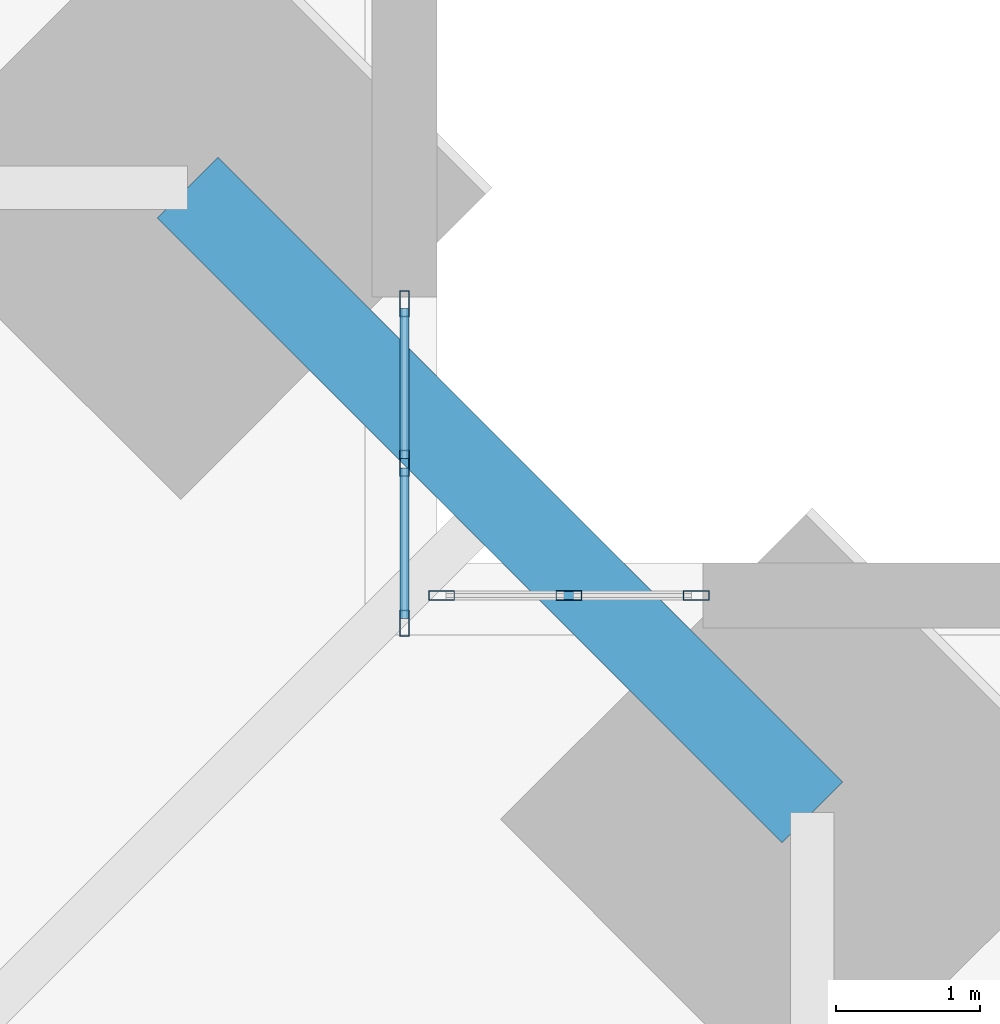
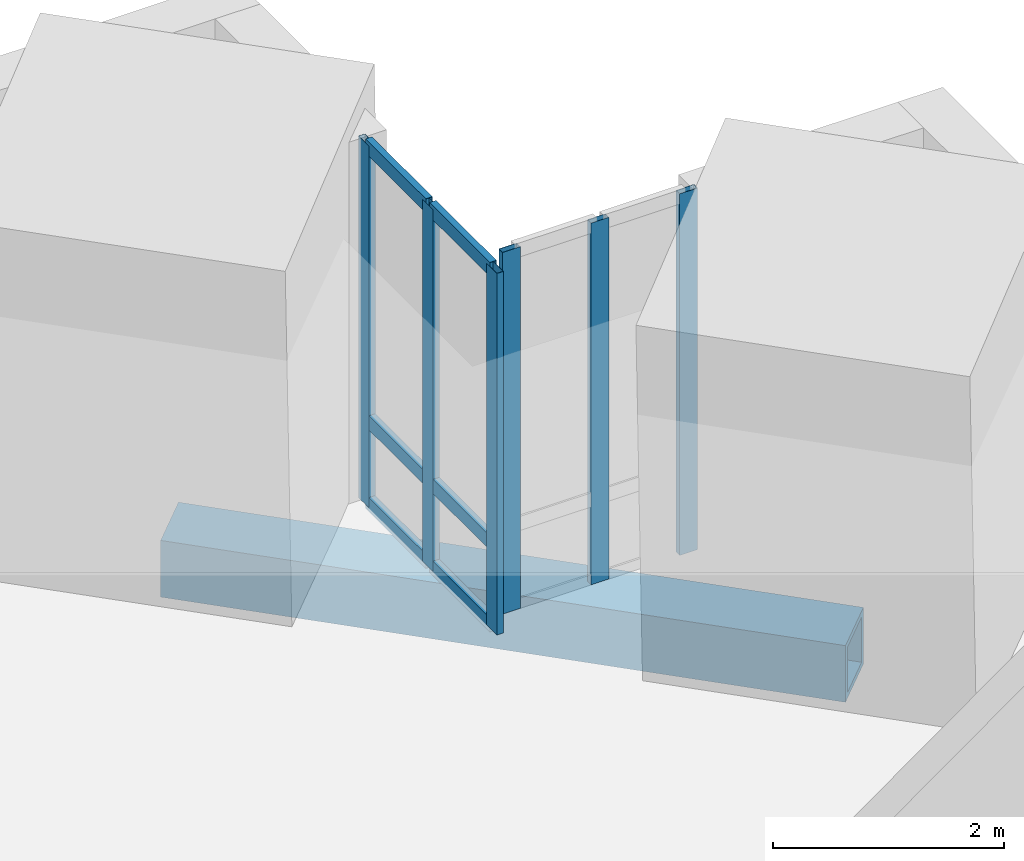
# One storey, part 8 of 15: 12 members, 1 beam, 2 elements without a shape of their own.
"""IFC4 building model written with IfcOpenShell, lengths in metres."""

import ifcopenshell
import ifcopenshell.guid

model = None  # the IFC model being written
_history = None  # IfcOwnerHistory: only IFC2X3 demands one
_inside = {}  # id of a spatial element -> (the spatial element, [elements in it])
_under = {}  # id of a project, library or spatial element -> (it, [spatial elements below it])
_declared = {}  # id of a project -> (the project, [libraries it declares])
_typed = {}  # id of a type object -> (the type object, [elements of that type])
_made_of = {}  # id of a material, layer set ... -> (it, [elements and type objects made of it])


def new_model(schema):
    """Start an empty IFC model of exactly this schema.

    Asked for "IFC4X3", IfcOpenShell would pick the latest addendum, in which some entities
    have other attributes; the version numbers below select the first issue.
    IFC2X3 requires an IfcOwnerHistory on every rooted entity: one is made here for all.
    """
    global model, _history
    if schema == "IFC4X3":
        model = ifcopenshell.file(schema_version=(4, 3, 0, 0))
    else:
        model = ifcopenshell.file(schema=schema)
    _inside.clear()
    _under.clear()
    _declared.clear()
    _typed.clear()
    _made_of.clear()
    _history = None
    if model.schema == "IFC2X3":
        org = make("IfcOrganization", Name="unknown")
        user = make(
            "IfcPersonAndOrganization",
            ThePerson=make("IfcPerson", FamilyName="unknown"),
            TheOrganization=org,
        )
        app = make(
            "IfcApplication",
            ApplicationDeveloper=org,
            Version="unknown",
            ApplicationFullName="unknown",
            ApplicationIdentifier="unknown",
        )
        _history = make(
            "IfcOwnerHistory",
            OwningUser=user,
            OwningApplication=app,
            ChangeAction="ADDED",
            CreationDate=0,
        )
    return model


def make(cls, **values):
    """One entity of the class cls with the attributes given. An attribute that is None is left unset."""
    return model.create_entity(
        cls, **{name: value for name, value in values.items() if value is not None}
    )


def rooted(cls, **values):
    """An entity with a GlobalId (a new one), such as an element, a storey or a relation."""
    return make(cls, GlobalId=ifcopenshell.guid.new(), OwnerHistory=_history, **values)


def si_unit(unit_type, name, prefix=None):
    """IfcSIUnit, for example si_unit("LENGTHUNIT", "METRE", prefix="MILLI")."""
    return make("IfcSIUnit", UnitType=unit_type, Prefix=prefix, Name=name)


def assignment(units):
    """IfcUnitAssignment: the units of a project."""
    return None if units is None else make("IfcUnitAssignment", Units=units)


def point(xyz):
    """IfcCartesianPoint."""
    return None if xyz is None else make("IfcCartesianPoint", Coordinates=xyz)


def direction(xyz):
    """IfcDirection."""
    return None if xyz is None else make("IfcDirection", DirectionRatios=xyz)


def frame(location, z_axis=None, x_axis=None):
    """IfcAxis2Placement3D, a coordinate frame: its origin and axes. An axis left out is left unset."""
    return make(
        "IfcAxis2Placement3D",
        Location=point(location),
        Axis=direction(z_axis),
        RefDirection=direction(x_axis),
    )


def frame_2d(location, x_axis=None):
    """IfcAxis2Placement2D, a coordinate frame in the plane: its origin and x axis."""
    return make(
        "IfcAxis2Placement2D", Location=point(location), RefDirection=direction(x_axis)
    )


def origin():
    """The frame at (0, 0, 0) with its axes left unset."""
    return frame((0.0, 0.0, 0.0))


def origin_2d():
    """The frame at (0, 0) in the plane with its x axis left unset."""
    return frame_2d((0.0, 0.0))


def place(relative_to, where):
    """IfcLocalPlacement: puts the frame where relative to a parent placement (None: the world)."""
    return make(
        "IfcLocalPlacement", PlacementRelTo=relative_to, RelativePlacement=where
    )


def context(
    kind, dimensions, precision=None, world=None, true_north=None, identifier=None
):
    """IfcGeometricRepresentationContext, for example the 3D "Model" context."""
    return make(
        "IfcGeometricRepresentationContext",
        ContextIdentifier=identifier,
        ContextType=kind,
        CoordinateSpaceDimension=dimensions,
        Precision=precision,
        WorldCoordinateSystem=world,
        TrueNorth=true_north,
    )


def subcontext(parent, identifier, kind, view, scale=None):
    """IfcGeometricRepresentationSubContext, for example "Body" below "Model"."""
    return make(
        "IfcGeometricRepresentationSubContext",
        ContextIdentifier=identifier,
        ContextType=kind,
        ParentContext=parent,
        TargetScale=scale,
        TargetView=view,
    )


def project(units=None, contexts=None):
    """IfcProject with its units and contexts."""
    return rooted(
        "IfcProject",
        Name="project",
        RepresentationContexts=contexts,
        UnitsInContext=assignment(units),
    )


def spatial(cls, under=None, at=None, **own):
    """A site, building, storey or space (cls), placed at a placement, below another one or the project."""
    s = rooted(cls, ObjectPlacement=at, **own)
    if under is not None:
        _under.setdefault(under.id(), (under, []))[1].append(s)
    return s


def profile(cls, at=None, kind="AREA", **sizes):
    """A parametric profile (cls). Its sizes go by their IFC names, for example OverallWidth=200.0."""
    return make(cls, ProfileType=kind, Position=at, **sizes)


def hollow_rectangle(**sizes):
    """IfcRectangleHollowProfileDef."""
    return profile("IfcRectangleHollowProfileDef", **sizes)


def extrude(swept, where, along, depth):
    """IfcExtrudedAreaSolid: the profile swept, set in the frame where, extruded along a direction by depth."""
    return make(
        "IfcExtrudedAreaSolid",
        SweptArea=swept,
        Position=where,
        ExtrudedDirection=direction(along),
        Depth=depth,
    )


def shape(context_of_items, identifier, shape_type, items):
    """IfcShapeRepresentation: the items that make up one representation, for example the "Body"."""
    return make(
        "IfcShapeRepresentation",
        ContextOfItems=context_of_items,
        RepresentationIdentifier=identifier,
        RepresentationType=shape_type,
        Items=items,
    )


def material(Name=None, Category=None):
    """IfcMaterial."""
    return make("IfcMaterial", Name=Name, Category=Category)


def material_profile(
    of_material, cross_section, Name=None, Category=None, Priority=None
):
    """IfcMaterialProfile: a cross section and its material."""
    return make(
        "IfcMaterialProfile",
        Name=Name,
        Material=of_material,
        Profile=cross_section,
        Priority=Priority,
        Category=Category,
    )


def profile_set(profiles, Name=None, composite=None):
    """IfcMaterialProfileSet."""
    return make(
        "IfcMaterialProfileSet",
        Name=Name,
        MaterialProfiles=profiles,
        CompositeProfile=composite,
    )


def made_of(thing, what):
    """Note that an element or type object is made of a material, layer set ...; save() writes the relation."""
    if what is not None:
        _made_of.setdefault(what.id(), (what, []))[1].append(thing)
    return thing


def type_object(cls, material=None, **own):
    """A type object (cls), such as IfcWallType, which elements share."""
    return made_of(rooted(cls, **own), material)


def element(
    cls,
    number,
    at=None,
    inside=None,
    cuts=None,
    type_object=None,
    material=None,
    context=None,
    identifier="Body",
    shape_type=None,
    held_by="IfcProductDefinitionShape",
    body=None,
    shapes=None,
    **own,
):
    """One element of the class cls, such as IfcWall. Its Tag is "e" and its number.

    at: its placement. inside: the storey or other place that contains it. cuts: it is an
    opening in that element (IfcRelVoidsElement). A single representation is given by context,
    identifier, shape_type and body (its items); several are given by shapes. held_by: the class
    of the entity that holds the representations. save() writes the other relations.
    """
    e = rooted(cls, Tag="e%d" % number, ObjectPlacement=at, **own)
    if body is not None:
        shapes = [shape(context, identifier, shape_type, body)]
    if shapes is not None:
        e.Representation = make(held_by, Representations=shapes)
    if inside is not None:
        _inside.setdefault(inside.id(), (inside, []))[1].append(e)
    if cuts is not None:
        rooted(
            "IfcRelVoidsElement", RelatingBuildingElement=cuts, RelatedOpeningElement=e
        )
    if type_object is not None:
        _typed.setdefault(type_object.id(), (type_object, []))[1].append(e)
    return made_of(e, material)


def aggregate(whole, parts):
    """IfcRelAggregates: a whole, such as a stair, and the parts it consists of."""
    return rooted("IfcRelAggregates", RelatingObject=whole, RelatedObjects=parts)


def save(model, path):
    """Write the relations noted so far, then the file.

    IfcRelAggregates (storeys below a building ...), IfcRelContainedInSpatialStructure (elements
    in a storey), IfcRelDefinesByType, IfcRelAssociatesMaterial and IfcRelDeclares: one each for
    every whole, place, type object, material and project.
    """
    for whole, parts in _under.values():
        aggregate(whole, parts)
    for where, things in _inside.values():
        rooted(
            "IfcRelContainedInSpatialStructure",
            RelatedElements=things,
            RelatingStructure=where,
        )
    for kind, things in _typed.values():
        rooted("IfcRelDefinesByType", RelatedObjects=things, RelatingType=kind)
    for what, things in _made_of.values():
        rooted("IfcRelAssociatesMaterial", RelatedObjects=things, RelatingMaterial=what)
    for by, libraries in _declared.values():
        rooted("IfcRelDeclares", RelatingContext=by, RelatedDefinitions=libraries)
    model.write(path)


model = new_model("IFC4")

# Units and contexts
model_context = context("Model", 3, precision=1e-05, world=origin(), true_north=direction((0.0, 1.0)))
body_context = subcontext(model_context, "Body", "Model", "MODEL_VIEW")
ifc_project = project(units=[si_unit("LENGTHUNIT", "METRE"), si_unit("AREAUNIT", "SQUARE_METRE"), si_unit("VOLUMEUNIT", "CUBIC_METRE"), si_unit("PLANEANGLEUNIT", "RADIAN"), si_unit("MASSUNIT", "GRAM", prefix="KILO")], contexts=[model_context])

# Site, building, storey
site_placement = place(None, origin())
site = spatial("IfcSite", under=ifc_project, at=site_placement, CompositionType="ELEMENT")
building_placement = place(site_placement, origin())
building = spatial("IfcBuilding", under=site, at=building_placement, Name="Peilmerk Tower", CompositionType="ELEMENT")
storey_placement = place(building_placement, frame((0.0, 0.0, 217.800048828125)))
storey = spatial("IfcBuildingStorey", under=building, at=storey_placement, Name="L47", CompositionType="ELEMENT", Elevation=217.800048828125)

# Beam
ifc_material_1 = material(Name="Steel S460", Category="steel")
ifc_material_profile_1 = material_profile(ifc_material_1, hollow_rectangle(XDim=0.60009765625, YDim=0.60009765625, WallThickness=0.06005859375, at=origin_2d()), Name="BOX 600x600x60")
ifc_profile_set_1 = profile_set([ifc_material_profile_1], Name="Steel S460")
beam_type = type_object("IfcBeamType", Name="B20 BOX 600x600x60 notch beam", PredefinedType="SPANDREL", material=ifc_profile_set_1)
beam_placement = place(storey_placement, frame((17.764404296875, 22.114501953125, -0.469970703125), z_axis=(0.707106781187, -0.707106781187, 0.0), x_axis=(0.707106781187, 0.707106781187, 0.0)))
element("IfcBeam", 1, at=beam_placement, inside=storey, type_object=beam_type, Name="Notch beam L47", PredefinedType="SPANDREL", context=body_context, shape_type="SweptSolid", body=[
    extrude(hollow_rectangle(XDim=0.60009765625, YDim=0.60009765625, WallThickness=0.06005859375, at=origin_2d()), origin(), (0.0, 0.0, 1.0), 6.15185546875),
])

# Curtain wall, members
ifc_material_2 = material(Name="Aluminium stick curtain wall", Category="aluminium")
curtain_wall_type = type_object("IfcCurtainWallType", Name="CW4 stick curtain wall, 2250 module", PredefinedType="NOTDEFINED", material=ifc_material_2)
curtain_wall_1_placement = place(storey_placement, origin())
curtain_wall_1 = element("IfcCurtainWall", 2, at=curtain_wall_1_placement, inside=storey, type_object=curtain_wall_type, Name="Curtain wall CW4 NEA L47", PredefinedType="NOTDEFINED")
ifc_material_3 = material(Name="Aluminium EN AW-6063 T6", Category="aluminium")
ifc_material_profile_2 = material_profile(ifc_material_3, hollow_rectangle(XDim=0.06494140625, YDim=0.179931640625, WallThickness=0.0029296875, at=origin_2d()), Name="AL 180x65x3")
ifc_profile_set_2 = profile_set([ifc_material_profile_2], Name="Aluminium EN AW-6063 T6")
member_type_1 = type_object("IfcMemberType", Name="CW4-M AL 180x65x3 mullion", PredefinedType="MULLION", material=ifc_profile_set_2)
member_1_placement = place(storey_placement, frame((19.27490234375, 19.08251953125, 0.0), z_axis=(0.0, 0.0, 1.0), x_axis=(-1.0, 0.0, 0.0)))
member_1 = element("IfcMember", 3, at=member_1_placement, type_object=member_type_1, Name="CW4 mullion 1", PredefinedType="MULLION", context=body_context, shape_type="SweptSolid", body=[
    extrude(hollow_rectangle(XDim=0.06494140625, YDim=0.179931640625, WallThickness=0.0029296875, at=origin_2d()), origin(), (0.0, 0.0, 1.0), 3.829833984375),
])
member_2_placement = place(storey_placement, frame((19.27490234375, 20.1943359375, 0.0), z_axis=(0.0, 0.0, 1.0), x_axis=(-1.0, 0.0, 0.0)))
member_2 = element("IfcMember", 4, at=member_2_placement, type_object=member_type_1, Name="CW4 mullion 2", PredefinedType="MULLION", context=body_context, shape_type="SweptSolid", body=[
    extrude(hollow_rectangle(XDim=0.06494140625, YDim=0.179931640625, WallThickness=0.0029296875, at=origin_2d()), origin(), (0.0, 0.0, 1.0), 3.829833984375),
])
member_3_placement = place(storey_placement, frame((19.27490234375, 21.30615234375, 0.0), z_axis=(0.0, 0.0, 1.0), x_axis=(-1.0, 0.0, 0.0)))
member_3 = element("IfcMember", 5, at=member_3_placement, type_object=member_type_1, Name="CW4 mullion 3", PredefinedType="MULLION", context=body_context, shape_type="SweptSolid", body=[
    extrude(hollow_rectangle(XDim=0.06494140625, YDim=0.179931640625, WallThickness=0.0029296875, at=origin_2d()), origin(), (0.0, 0.0, 1.0), 3.829833984375),
])

curtain_wall_2_placement = place(storey_placement, origin())
curtain_wall_2 = element("IfcCurtainWall", 6, at=curtain_wall_2_placement, inside=storey, type_object=curtain_wall_type, Name="Curtain wall CW4 NEB L47", PredefinedType="NOTDEFINED")
member_4_placement = place(storey_placement, frame((19.532470703125, 19.27490234375, 0.0), z_axis=(0.0, 0.0, 1.0), x_axis=(0.0, 1.0, 0.0)))
member_4 = element("IfcMember", 7, at=member_4_placement, type_object=member_type_1, Name="CW4 mullion 1", PredefinedType="MULLION", context=body_context, shape_type="SweptSolid", body=[
    extrude(hollow_rectangle(XDim=0.06494140625, YDim=0.179931640625, WallThickness=0.0029296875, at=origin_2d()), origin(), (0.0, 0.0, 1.0), 3.829833984375),
])
member_5_placement = place(storey_placement, frame((20.41943359375, 19.27490234375, 0.0), z_axis=(0.0, 0.0, 1.0), x_axis=(0.0, 1.0, 0.0)))
member_5 = element("IfcMember", 8, at=member_5_placement, type_object=member_type_1, Name="CW4 mullion 2", PredefinedType="MULLION", context=body_context, shape_type="SweptSolid", body=[
    extrude(hollow_rectangle(XDim=0.06494140625, YDim=0.179931640625, WallThickness=0.0029296875, at=origin_2d()), origin(), (0.0, 0.0, 1.0), 3.829833984375),
])
member_6_placement = place(storey_placement, frame((21.30615234375, 19.27490234375, 0.0), z_axis=(0.0, 0.0, 1.0), x_axis=(0.0, 1.0, 0.0)))
member_6 = element("IfcMember", 9, at=member_6_placement, type_object=member_type_1, Name="CW4 mullion 3", PredefinedType="MULLION", context=body_context, shape_type="SweptSolid", body=[
    extrude(hollow_rectangle(XDim=0.06494140625, YDim=0.179931640625, WallThickness=0.0029296875, at=origin_2d()), origin(), (0.0, 0.0, 1.0), 3.829833984375),
])
aggregate(curtain_wall_2, [member_4, member_5, member_6])

# Member
ifc_material_profile_3 = material_profile(ifc_material_3, hollow_rectangle(XDim=0.06494140625, YDim=0.14990234375, WallThickness=0.0029296875, at=origin_2d()), Name="AL 150x65x3")
ifc_profile_set_3 = profile_set([ifc_material_profile_3], Name="Aluminium EN AW-6063 T6")
member_type_2 = type_object("IfcMemberType", Name="CW4-T AL 150x65x3 transom", PredefinedType="USERDEFINED", material=ifc_profile_set_3)
member_7_placement = place(storey_placement, frame((19.27490234375, 19.114990234375, 0.032470703125), z_axis=(0.0, 1.0, 0.0), x_axis=(-1.0, 0.0, 0.0)))
member_7 = element("IfcMember", 10, at=member_7_placement, type_object=member_type_2, Name="CW4 transom 1.1", ObjectType="TRANSOM", PredefinedType="USERDEFINED", context=body_context, shape_type="SweptSolid", body=[
    extrude(hollow_rectangle(XDim=0.06494140625, YDim=0.14990234375, WallThickness=0.0029296875, at=origin_2d()), origin(), (0.0, 0.0, 1.0), 1.046875),
])

member_8_placement = place(storey_placement, frame((19.27490234375, 19.114990234375, 0.89990234375), z_axis=(0.0, 1.0, 0.0), x_axis=(-1.0, 0.0, 0.0)))
member_8 = element("IfcMember", 11, at=member_8_placement, type_object=member_type_2, Name="CW4 transom 1.2", ObjectType="TRANSOM", PredefinedType="USERDEFINED", context=body_context, shape_type="SweptSolid", body=[
    extrude(hollow_rectangle(XDim=0.06494140625, YDim=0.14990234375, WallThickness=0.0029296875, at=origin_2d()), origin(), (0.0, 0.0, 1.0), 1.046875),
])

member_9_placement = place(storey_placement, frame((19.27490234375, 19.114990234375, 3.79736328125), z_axis=(0.0, 1.0, 0.0), x_axis=(-1.0, 0.0, 0.0)))
member_9 = element("IfcMember", 12, at=member_9_placement, type_object=member_type_2, Name="CW4 transom 1.3", ObjectType="TRANSOM", PredefinedType="USERDEFINED", context=body_context, shape_type="SweptSolid", body=[
    extrude(hollow_rectangle(XDim=0.06494140625, YDim=0.14990234375, WallThickness=0.0029296875, at=origin_2d()), origin(), (0.0, 0.0, 1.0), 1.046875),
])

member_10_placement = place(storey_placement, frame((19.27490234375, 20.226806640625, 0.032470703125), z_axis=(0.0, 1.0, 0.0), x_axis=(-1.0, 0.0, 0.0)))
member_10 = element("IfcMember", 13, at=member_10_placement, type_object=member_type_2, Name="CW4 transom 2.1", ObjectType="TRANSOM", PredefinedType="USERDEFINED", context=body_context, shape_type="SweptSolid", body=[
    extrude(hollow_rectangle(XDim=0.06494140625, YDim=0.14990234375, WallThickness=0.0029296875, at=origin_2d()), origin(), (0.0, 0.0, 1.0), 1.046875),
])

member_11_placement = place(storey_placement, frame((19.27490234375, 20.226806640625, 0.89990234375), z_axis=(0.0, 1.0, 0.0), x_axis=(-1.0, 0.0, 0.0)))
member_11 = element("IfcMember", 14, at=member_11_placement, type_object=member_type_2, Name="CW4 transom 2.2", ObjectType="TRANSOM", PredefinedType="USERDEFINED", context=body_context, shape_type="SweptSolid", body=[
    extrude(hollow_rectangle(XDim=0.06494140625, YDim=0.14990234375, WallThickness=0.0029296875, at=origin_2d()), origin(), (0.0, 0.0, 1.0), 1.046875),
])

member_12_placement = place(storey_placement, frame((19.27490234375, 20.226806640625, 3.79736328125), z_axis=(0.0, 1.0, 0.0), x_axis=(-1.0, 0.0, 0.0)))
member_12 = element("IfcMember", 15, at=member_12_placement, type_object=member_type_2, Name="CW4 transom 2.3", ObjectType="TRANSOM", PredefinedType="USERDEFINED", context=body_context, shape_type="SweptSolid", body=[
    extrude(hollow_rectangle(XDim=0.06494140625, YDim=0.14990234375, WallThickness=0.0029296875, at=origin_2d()), origin(), (0.0, 0.0, 1.0), 1.046875),
])

aggregate(curtain_wall_1, [member_1, member_2, member_3, member_7, member_8, member_9, member_10, member_11, member_12])

save(model, "model.ifc")
